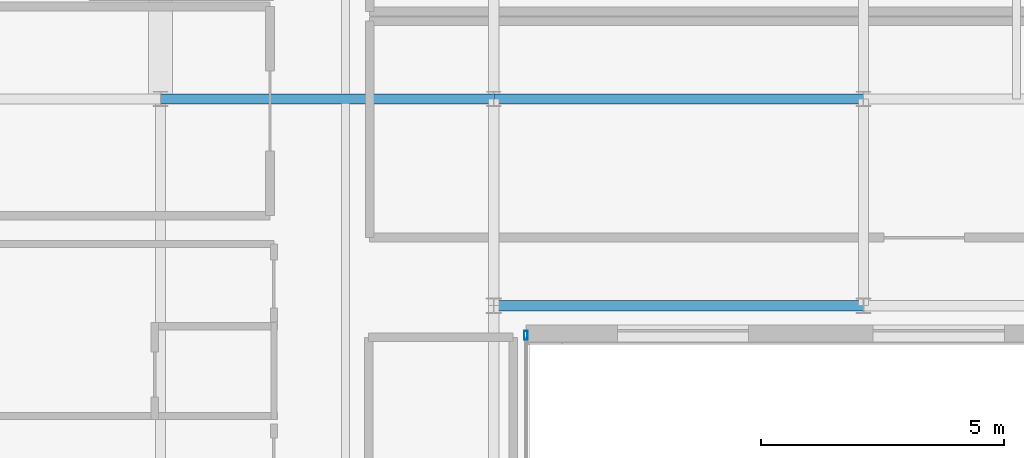
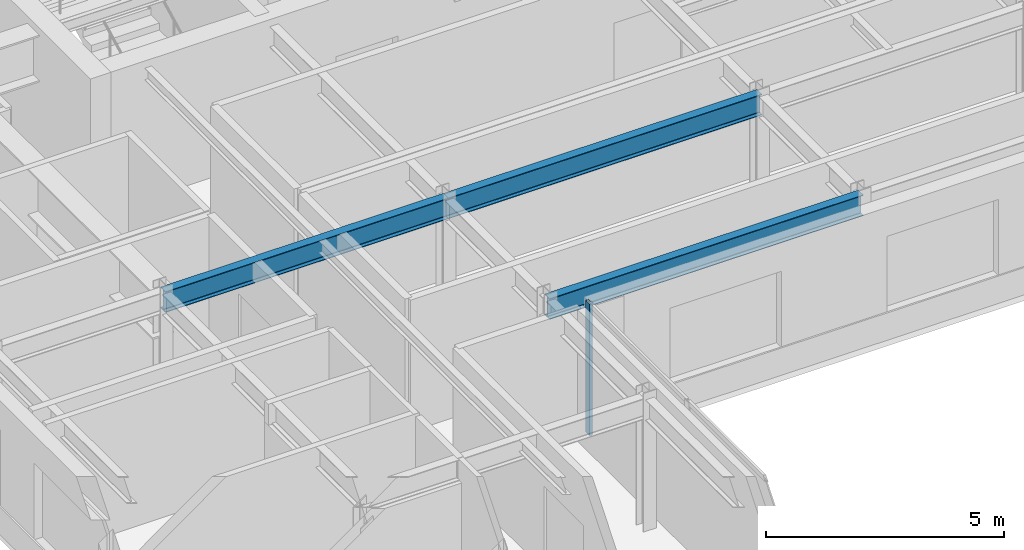
# One storey, part 9 of 21: 3 beams, 1 member, 1 element without a shape of its own.
"""IFC4 building model written with IfcOpenShell, lengths in metres."""

from ifc_helpers import new_model, si_unit, direction, frame, origin, origin_2d, place, context, subcontext, project, spatial, hollow_rectangle, i_section, extrude, source, transform, mapped, material, layer, layer_set, material_profile, profile_set, type_object, type_shapes, element, aggregate, save


model = new_model("IFC4")

# Units and contexts
model_context = context("Model", 3, precision=1e-05, world=origin(), true_north=direction((0.0, 1.0)))
body_context = subcontext(model_context, "Body", "Model", "MODEL_VIEW")
ifc_project = project(units=[si_unit("LENGTHUNIT", "METRE"), si_unit("AREAUNIT", "SQUARE_METRE"), si_unit("VOLUMEUNIT", "CUBIC_METRE"), si_unit("PLANEANGLEUNIT", "RADIAN"), si_unit("MASSUNIT", "GRAM", prefix="KILO")], contexts=[model_context])

# Site, building, storey
site_placement = place(None, origin())
site = spatial("IfcSite", under=ifc_project, at=site_placement, CompositionType="ELEMENT")
building_placement = place(site_placement, origin())
building = spatial("IfcBuilding", under=site, at=building_placement, Name="Tolvann Quenvar Hotel", CompositionType="ELEMENT")
storey_placement = place(building_placement, frame((0.0, 0.0, 262.949951171875)))
storey = spatial("IfcBuildingStorey", under=building, at=storey_placement, Name="L70", CompositionType="ELEMENT", Elevation=262.949951171875)

# Beams
ifc_material_1 = material(Name="Steel Grade 350", Category="steel")
ifc_material_profile_1 = material_profile(ifc_material_1, i_section(OverallWidth=0.208984375, OverallDepth=0.532958984375, WebThickness=0.01025390625, FlangeThickness=0.015625, FilletRadius=0.013916015625, at=origin_2d()), Name="530UB92")
ifc_profile_set_1 = profile_set([ifc_material_profile_1], Name="Steel Grade 350")
beam_type = type_object("IfcBeamType", Name="BM_GIRD_530UB92", PredefinedType="BEAM", material=ifc_profile_set_1)
shared_shape_1 = source(origin(), body_context, "Body", "SweptSolid", [
    extrude(i_section(OverallWidth=0.208984375, OverallDepth=0.532958984375, WebThickness=0.01025390625, FlangeThickness=0.015625, FilletRadius=0.013916015625, at=origin_2d()), origin(), (0.0, 0.0, 1.0), 6.849853515625),
])
beam_placement = place(storey_placement, frame((7.60009765625, 24.39990234375, 3.103515625), z_axis=(1.0, 0.0, 0.0), x_axis=(0.0, 1.0, 0.0)))
element("IfcBeam", 1, at=beam_placement, inside=storey, type_object=beam_type, Name="BM-L70-EW-5-C5-D5", PredefinedType="BEAM", context=body_context, shape_type="MappedRepresentation", body=[
    mapped(shared_shape_1, transform((0.0, 0.0, 0.0), x_axis=(1.0, 0.0, 0.0), y_axis=(0.0, 1.0, 0.0), z_axis=(0.0, 0.0, 1.0), scale=1.0)),
])
shared_shape_2 = source(origin(), body_context, "Body", "SweptSolid", [
    extrude(i_section(OverallWidth=0.208984375, OverallDepth=0.532958984375, WebThickness=0.01025390625, FlangeThickness=0.015625, FilletRadius=0.013916015625, at=origin_2d()), origin(), (0.0, 0.0, 1.0), 7.60009765625),
])
type_shapes(beam_type, [shared_shape_1, shared_shape_2])
for number, where, z_axis, x_axis, name in (
    (2, (14.449951171875, 20.14990234375, 3.103515625), (1.0, 0.0, 0.0), (0.0, 1.0, 0.0), "BM-L70-EW-4P-D4P-E4P"),
    (3, (14.449951171875, 24.39990234375, 3.103515625), (1.0, 0.0, 0.0), (0.0, 1.0, 0.0), "BM-L70-EW-5-D5-E5"),
):
    element("IfcBeam", number, at=place(storey_placement, frame(where, z_axis=z_axis, x_axis=x_axis)), inside=storey, type_object=beam_type, Name=name, PredefinedType="BEAM", context=body_context, shape_type="MappedRepresentation", body=[
        mapped(shared_shape_2, transform((0.0, 0.0, 0.0), x_axis=(1.0, 0.0, 0.0), y_axis=(0.0, 1.0, 0.0), z_axis=(0.0, 0.0, 1.0), scale=1.0)),
    ])

# Curtain wall, member
ifc_material_2 = material(Name="Thermally broken anodised architectural aluminium 6063-T6 and laminated low-E glass", Category="aluminium")
ifc_layer = layer(ifc_material_2, 0.179931640625)
ifc_layer_set = layer_set([ifc_layer], Name="Thermally broken anodised architectural aluminium 6063-T6 and laminated low-E glass")
curtain_wall_type = type_object("IfcCurtainWallType", Name="CW_SYS_PORTAL_05", PredefinedType="USERDEFINED", material=ifc_layer_set)
curtain_wall_placement = place(storey_placement, origin())
curtain_wall = element("IfcCurtainWall", 4, at=curtain_wall_placement, inside=storey, type_object=curtain_wall_type, Name="Curtain Wall CW-PORTAL-05 (CWR-L70-E05)", ObjectType="UNITISED CURTAIN WALL", PredefinedType="USERDEFINED")
ifc_material_3 = material(Name="Anodised architectural aluminium 6063-T6 framing", Category="aluminium")
ifc_material_profile_2 = material_profile(ifc_material_3, hollow_rectangle(XDim=0.070068359375, YDim=0.179931640625, WallThickness=0.00390625, at=origin_2d()), Name="180x70x4RHS")
ifc_profile_set_2 = profile_set([ifc_material_profile_2], Name="Anodised architectural aluminium 6063-T6 framing")
member_type = type_object("IfcMemberType", Name="CW_MULL_180x70", PredefinedType="MULLION", material=ifc_profile_set_2)
shared_shape_3 = source(origin(), body_context, "Body", "SweptSolid", [
    extrude(hollow_rectangle(XDim=0.070068359375, YDim=0.179931640625, WallThickness=0.00390625, at=origin_2d()), origin(), (0.0, 0.0, 1.0), 3.3701171875),
])
type_shapes(member_type, [shared_shape_3])
member_placement = place(storey_placement, frame((15.110107421875, 19.5400390625, 0.0), z_axis=(0.0, 0.0, 1.0), x_axis=(-1.0, 0.0, 0.0)))
member = element("IfcMember", 5, at=member_placement, type_object=member_type, Name="CW-PORTAL-05 mullion 5", PredefinedType="MULLION", context=body_context, shape_type="MappedRepresentation", body=[
    mapped(shared_shape_3, transform((0.0, 0.0, 0.0), x_axis=(1.0, 0.0, 0.0), y_axis=(0.0, 1.0, 0.0), z_axis=(0.0, 0.0, 1.0), scale=1.0)),
])
aggregate(curtain_wall, [member])

save(model, "model.ifc")
